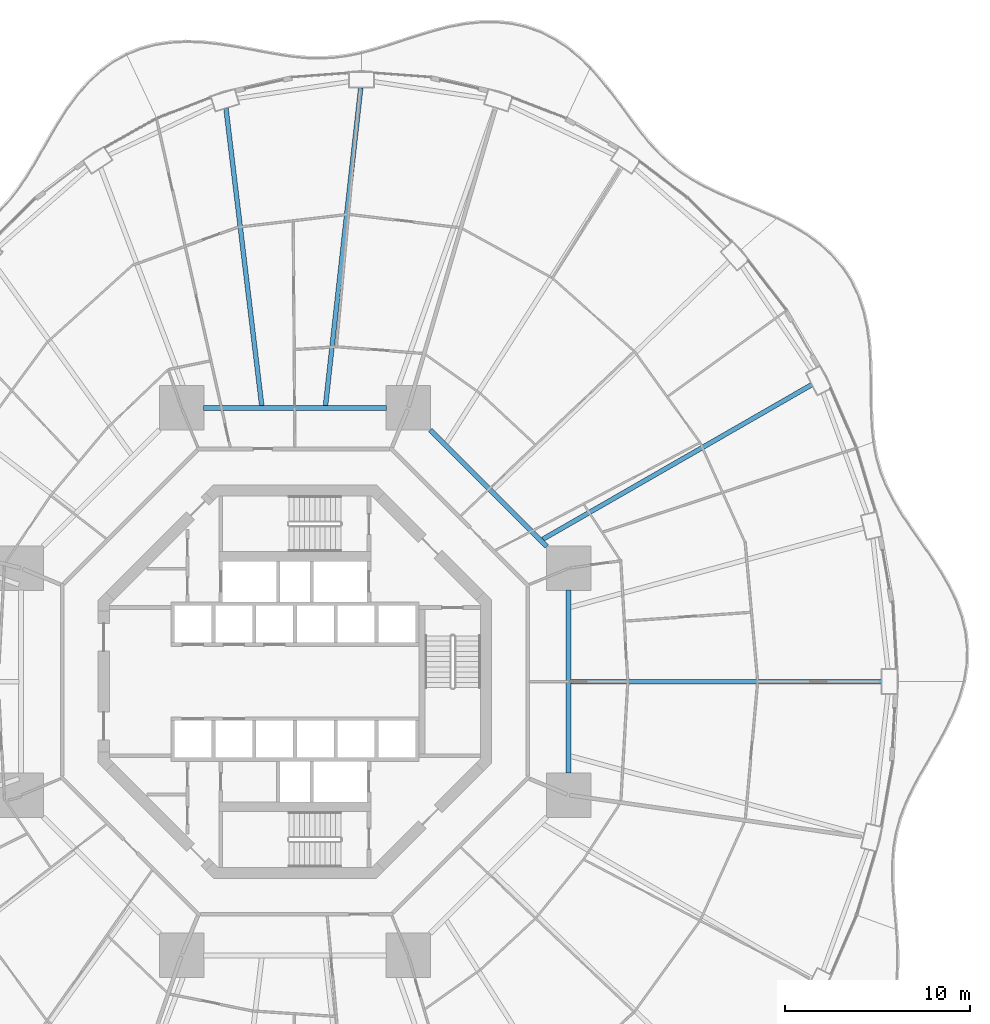
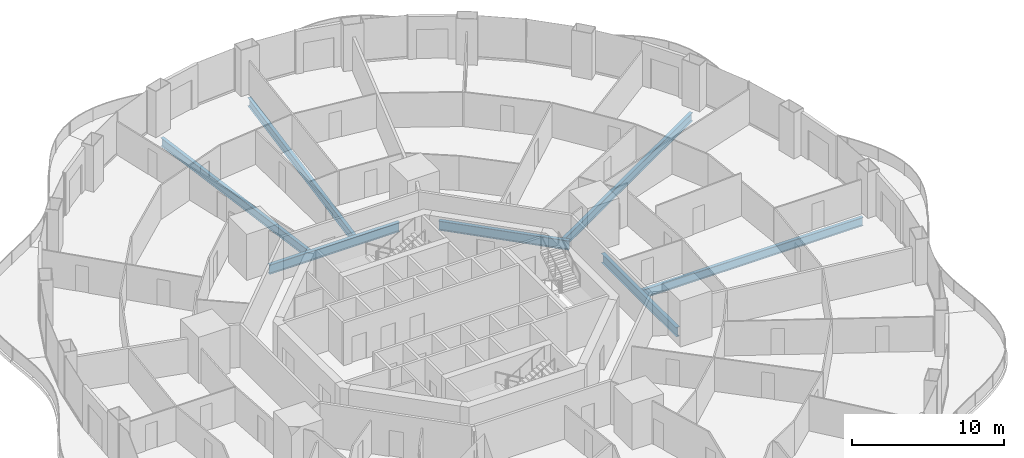
# One storey, part 8 of 22: 7 beams.
"""IFC4 building model written with IfcOpenShell, lengths in metres."""

from ifc_helpers import new_model, si_unit, direction, frame, origin, origin_2d, place, context, subcontext, project, spatial, i_section, extrude, material, material_profile, profile_set, type_object, element, save


model = new_model("IFC4")

# Units and contexts
model_context = context("Model", 3, precision=1e-05, world=origin(), true_north=direction((0.0, 1.0)))
body_context = subcontext(model_context, "Body", "Model", "MODEL_VIEW")
ifc_project = project(units=[si_unit("LENGTHUNIT", "METRE"), si_unit("AREAUNIT", "SQUARE_METRE"), si_unit("VOLUMEUNIT", "CUBIC_METRE"), si_unit("PLANEANGLEUNIT", "RADIAN"), si_unit("MASSUNIT", "GRAM", prefix="KILO")], contexts=[model_context])

# Site, building, storey
site_placement = place(None, origin())
site = spatial("IfcSite", under=ifc_project, at=site_placement, CompositionType="ELEMENT")
building_placement = place(site_placement, origin())
building = spatial("IfcBuilding", under=site, at=building_placement, Name="Nagisa Residences", CompositionType="ELEMENT")
storey_placement = place(building_placement, frame((0.0, 0.0, 30.699951171875)))
storey = spatial("IfcBuildingStorey", under=building, at=storey_placement, Name="L06", CompositionType="ELEMENT", Elevation=30.699951171875)

# Beams
ifc_material_1 = material(Name="Steel ASTM A572 Gr 50", Category="steel")
ifc_material_profile_1 = material_profile(ifc_material_1, i_section(OverallWidth=0.264892578125, OverallDepth=0.7529296875, WebThickness=0.01318359375, FlangeThickness=0.01708984375, at=origin_2d()), Name="W760x147")
ifc_profile_set_1 = profile_set([ifc_material_profile_1], Name="Steel ASTM A572 Gr 50")
beam_type_1 = type_object("IfcBeamType", Name="Inner ring beam W760x147", PredefinedType="BEAM", material=ifc_profile_set_1)
beam_1_placement = place(storey_placement, frame((13.59619140625, 7.308837890625, -0.636474609375), z_axis=(-0.707106781187, 0.707106781187, 0.0), x_axis=(-0.707106781187, -0.707106781187, 0.0)))
element("IfcBeam", 1, at=beam_1_placement, inside=storey, type_object=beam_type_1, Name="beam:L06:ib1", PredefinedType="BEAM", context=body_context, shape_type="SweptSolid", body=[
    extrude(i_section(OverallWidth=0.264892578125, OverallDepth=0.7529296875, WebThickness=0.01318359375, FlangeThickness=0.01708984375, at=origin_2d()), origin(), (0.0, 0.0, 1.0), 8.8916015625),
])
for number, where, z_axis, x_axis, name in (
    (2, (4.94287109375, 14.781982421875, -0.636474609375), (-1.0, 0.0, 0.0), (0.0, -1.0, 0.0), "beam:L06:ib2"),
    (3, (14.781982421875, -4.94287109375, -0.636474609375), (0.0, 1.0, 0.0), (-1.0, 0.0, 0.0), "beam:L06:ib8"),
):
    element("IfcBeam", number, at=place(storey_placement, frame(where, z_axis=z_axis, x_axis=x_axis)), inside=storey, type_object=beam_type_1, Name=name, PredefinedType="BEAM", context=body_context, shape_type="SweptSolid", body=[
        extrude(i_section(OverallWidth=0.264892578125, OverallDepth=0.7529296875, WebThickness=0.01318359375, FlangeThickness=0.01708984375, at=origin_2d()), origin(), (0.0, 0.0, 1.0), 9.8857421875),
    ])
ifc_material_2 = material(Name="Steel ASTM A572 Gr 50", Category="steel")
ifc_material_profile_2 = material_profile(ifc_material_2, i_section(OverallWidth=0.25390625, OverallDepth=0.68408203125, WebThickness=0.012451171875, FlangeThickness=0.018798828125, at=origin_2d()), Name="W690x140")
ifc_profile_set_2 = profile_set([ifc_material_profile_2], Name="Steel ASTM A572 Gr 50")
beam_type_2 = type_object("IfcBeamType", Name="Radial beam W690x140", PredefinedType="BEAM", material=ifc_profile_set_2)
beam_2_placement = place(storey_placement, frame((31.669921875, 0.0, -0.60205078125), z_axis=(-1.0, 0.0, 0.0), x_axis=(0.0, -1.0, 0.0)))
element("IfcBeam", 4, at=beam_2_placement, inside=storey, type_object=beam_type_2, Name="beam:L06:rb01", PredefinedType="BEAM", context=body_context, shape_type="SweptSolid", body=[
    extrude(i_section(OverallWidth=0.25390625, OverallDepth=0.68408203125, WebThickness=0.012451171875, FlangeThickness=0.018798828125, at=origin_2d()), origin(), (0.0, 0.0, 1.0), 16.775390625),
])
beam_3_placement = place(storey_placement, frame((27.908447265625, 16.035400390625, -0.60205078125), z_axis=(-0.867068052258, -0.498189715623, 0.0), x_axis=(0.498189715623, -0.867068052258, 0.0)))
element("IfcBeam", 5, at=beam_3_placement, inside=storey, type_object=beam_type_2, Name="beam:L06:rb03", PredefinedType="BEAM", context=body_context, shape_type="SweptSolid", body=[
    extrude(i_section(OverallWidth=0.25390625, OverallDepth=0.68408203125, WebThickness=0.012451171875, FlangeThickness=0.018798828125, at=origin_2d()), origin(), (0.0, 0.0, 1.0), 16.758056640625),
])
beam_4_placement = place(storey_placement, frame((3.55224609375, 32.06982421875, -0.60205078125), z_axis=(-0.110088818647, -0.993921753464, 0.0), x_axis=(0.993921753464, -0.110088818647, 0.0)))
element("IfcBeam", 6, at=beam_4_placement, inside=storey, type_object=beam_type_2, Name="beam:L06:rb07", PredefinedType="BEAM", context=body_context, shape_type="SweptSolid", body=[
    extrude(i_section(OverallWidth=0.25390625, OverallDepth=0.68408203125, WebThickness=0.012451171875, FlangeThickness=0.018798828125, at=origin_2d()), origin(), (0.0, 0.0, 1.0), 17.280029296875),
])
beam_5_placement = place(storey_placement, frame((-3.72412109375, 30.958740234375, -0.60205078125), z_axis=(0.119431411612, -0.992842453726, 0.0), x_axis=(0.992842453726, 0.119431411612, 0.0)))
element("IfcBeam", 7, at=beam_5_placement, inside=storey, type_object=beam_type_2, Name="beam:L06:rb08", PredefinedType="BEAM", context=body_context, shape_type="SweptSolid", body=[
    extrude(i_section(OverallWidth=0.25390625, OverallDepth=0.68408203125, WebThickness=0.012451171875, FlangeThickness=0.018798828125, at=origin_2d()), origin(), (0.0, 0.0, 1.0), 16.1796875),
])

save(model, "model.ifc")
